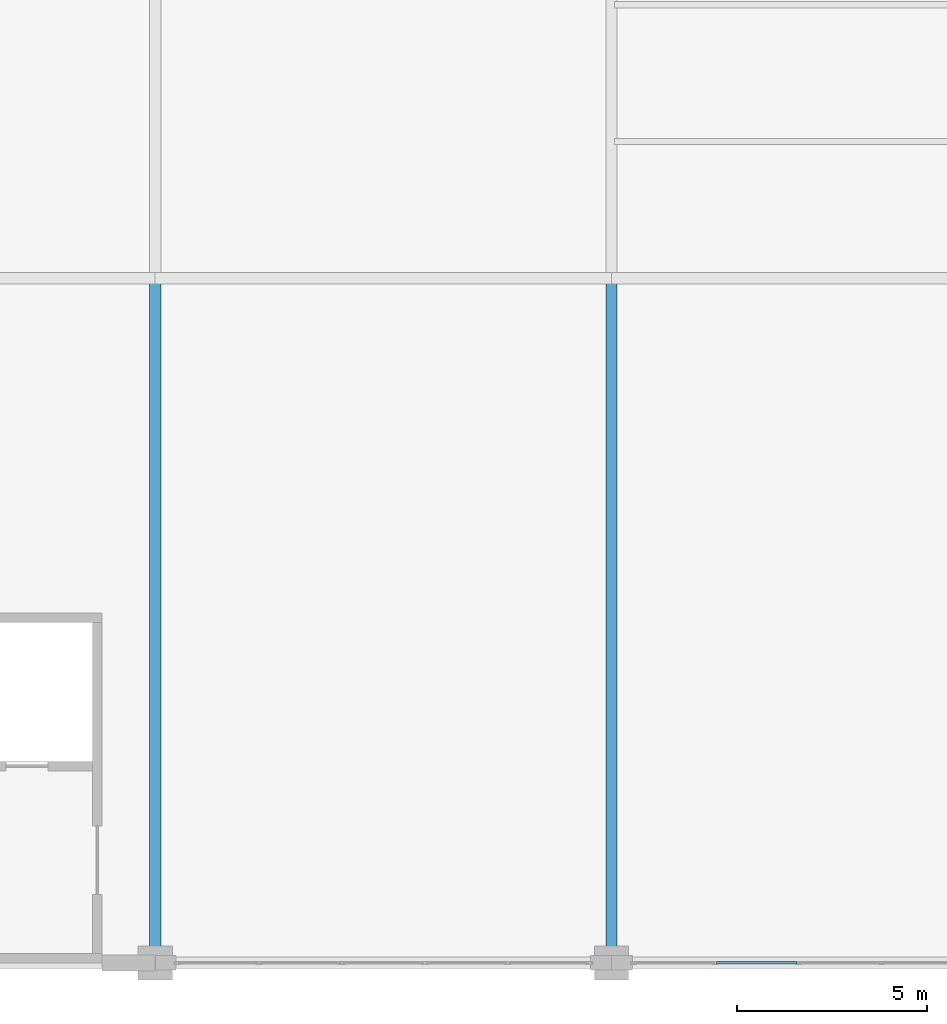
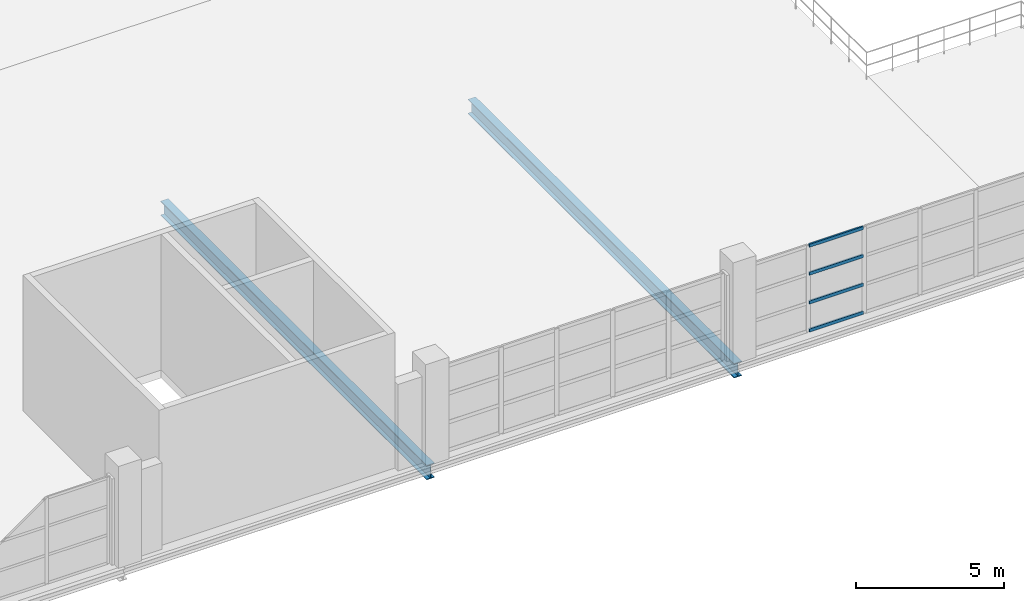
# One storey, part 45 of 158: 4 members, 2 beams, 1 element without a shape of its own.
"""IFC4 building model written with IfcOpenShell, lengths in metres."""

import ifcopenshell
import ifcopenshell.guid

model = None  # the IFC model being written
_history = None  # IfcOwnerHistory: only IFC2X3 demands one
_inside = {}  # id of a spatial element -> (the spatial element, [elements in it])
_under = {}  # id of a project, library or spatial element -> (it, [spatial elements below it])
_declared = {}  # id of a project -> (the project, [libraries it declares])
_typed = {}  # id of a type object -> (the type object, [elements of that type])
_made_of = {}  # id of a material, layer set ... -> (it, [elements and type objects made of it])


def new_model(schema):
    """Start an empty IFC model of exactly this schema.

    Asked for "IFC4X3", IfcOpenShell would pick the latest addendum, in which some entities
    have other attributes; the version numbers below select the first issue.
    IFC2X3 requires an IfcOwnerHistory on every rooted entity: one is made here for all.
    """
    global model, _history
    if schema == "IFC4X3":
        model = ifcopenshell.file(schema_version=(4, 3, 0, 0))
    else:
        model = ifcopenshell.file(schema=schema)
    _inside.clear()
    _under.clear()
    _declared.clear()
    _typed.clear()
    _made_of.clear()
    _history = None
    if model.schema == "IFC2X3":
        org = make("IfcOrganization", Name="unknown")
        user = make(
            "IfcPersonAndOrganization",
            ThePerson=make("IfcPerson", FamilyName="unknown"),
            TheOrganization=org,
        )
        app = make(
            "IfcApplication",
            ApplicationDeveloper=org,
            Version="unknown",
            ApplicationFullName="unknown",
            ApplicationIdentifier="unknown",
        )
        _history = make(
            "IfcOwnerHistory",
            OwningUser=user,
            OwningApplication=app,
            ChangeAction="ADDED",
            CreationDate=0,
        )
    return model


def make(cls, **values):
    """One entity of the class cls with the attributes given. An attribute that is None is left unset."""
    return model.create_entity(
        cls, **{name: value for name, value in values.items() if value is not None}
    )


def rooted(cls, **values):
    """An entity with a GlobalId (a new one), such as an element, a storey or a relation."""
    return make(cls, GlobalId=ifcopenshell.guid.new(), OwnerHistory=_history, **values)


def si_unit(unit_type, name, prefix=None):
    """IfcSIUnit, for example si_unit("LENGTHUNIT", "METRE", prefix="MILLI")."""
    return make("IfcSIUnit", UnitType=unit_type, Prefix=prefix, Name=name)


def assignment(units):
    """IfcUnitAssignment: the units of a project."""
    return None if units is None else make("IfcUnitAssignment", Units=units)


def point(xyz):
    """IfcCartesianPoint."""
    return None if xyz is None else make("IfcCartesianPoint", Coordinates=xyz)


def direction(xyz):
    """IfcDirection."""
    return None if xyz is None else make("IfcDirection", DirectionRatios=xyz)


def frame(location, z_axis=None, x_axis=None):
    """IfcAxis2Placement3D, a coordinate frame: its origin and axes. An axis left out is left unset."""
    return make(
        "IfcAxis2Placement3D",
        Location=point(location),
        Axis=direction(z_axis),
        RefDirection=direction(x_axis),
    )


def frame_2d(location, x_axis=None):
    """IfcAxis2Placement2D, a coordinate frame in the plane: its origin and x axis."""
    return make(
        "IfcAxis2Placement2D", Location=point(location), RefDirection=direction(x_axis)
    )


def origin():
    """The frame at (0, 0, 0) with its axes left unset."""
    return frame((0.0, 0.0, 0.0))


def origin_2d():
    """The frame at (0, 0) in the plane with its x axis left unset."""
    return frame_2d((0.0, 0.0))


def place(relative_to, where):
    """IfcLocalPlacement: puts the frame where relative to a parent placement (None: the world)."""
    return make(
        "IfcLocalPlacement", PlacementRelTo=relative_to, RelativePlacement=where
    )


def context(
    kind, dimensions, precision=None, world=None, true_north=None, identifier=None
):
    """IfcGeometricRepresentationContext, for example the 3D "Model" context."""
    return make(
        "IfcGeometricRepresentationContext",
        ContextIdentifier=identifier,
        ContextType=kind,
        CoordinateSpaceDimension=dimensions,
        Precision=precision,
        WorldCoordinateSystem=world,
        TrueNorth=true_north,
    )


def subcontext(parent, identifier, kind, view, scale=None):
    """IfcGeometricRepresentationSubContext, for example "Body" below "Model"."""
    return make(
        "IfcGeometricRepresentationSubContext",
        ContextIdentifier=identifier,
        ContextType=kind,
        ParentContext=parent,
        TargetScale=scale,
        TargetView=view,
    )


def project(units=None, contexts=None):
    """IfcProject with its units and contexts."""
    return rooted(
        "IfcProject",
        Name="project",
        RepresentationContexts=contexts,
        UnitsInContext=assignment(units),
    )


def spatial(cls, under=None, at=None, **own):
    """A site, building, storey or space (cls), placed at a placement, below another one or the project."""
    s = rooted(cls, ObjectPlacement=at, **own)
    if under is not None:
        _under.setdefault(under.id(), (under, []))[1].append(s)
    return s


def profile(cls, at=None, kind="AREA", **sizes):
    """A parametric profile (cls). Its sizes go by their IFC names, for example OverallWidth=200.0."""
    return make(cls, ProfileType=kind, Position=at, **sizes)


def hollow_rectangle(**sizes):
    """IfcRectangleHollowProfileDef."""
    return profile("IfcRectangleHollowProfileDef", **sizes)


def i_section(**sizes):
    """IfcIShapeProfileDef."""
    return profile("IfcIShapeProfileDef", **sizes)


def extrude(swept, where, along, depth):
    """IfcExtrudedAreaSolid: the profile swept, set in the frame where, extruded along a direction by depth."""
    return make(
        "IfcExtrudedAreaSolid",
        SweptArea=swept,
        Position=where,
        ExtrudedDirection=direction(along),
        Depth=depth,
    )


def shape(context_of_items, identifier, shape_type, items):
    """IfcShapeRepresentation: the items that make up one representation, for example the "Body"."""
    return make(
        "IfcShapeRepresentation",
        ContextOfItems=context_of_items,
        RepresentationIdentifier=identifier,
        RepresentationType=shape_type,
        Items=items,
    )


def material(Name=None, Category=None):
    """IfcMaterial."""
    return make("IfcMaterial", Name=Name, Category=Category)


def layer(
    of_material, thickness, ventilated=None, Name=None, Category=None, Priority=None
):
    """IfcMaterialLayer: one layer of a wall or slab, of a material (None: an air gap)."""
    return make(
        "IfcMaterialLayer",
        Material=of_material,
        LayerThickness=thickness,
        IsVentilated=ventilated,
        Name=Name,
        Category=Category,
        Priority=Priority,
    )


def layer_set(layers, Name=None):
    """IfcMaterialLayerSet."""
    return make("IfcMaterialLayerSet", MaterialLayers=layers, LayerSetName=Name)


def material_profile(
    of_material, cross_section, Name=None, Category=None, Priority=None
):
    """IfcMaterialProfile: a cross section and its material."""
    return make(
        "IfcMaterialProfile",
        Name=Name,
        Material=of_material,
        Profile=cross_section,
        Priority=Priority,
        Category=Category,
    )


def profile_set(profiles, Name=None, composite=None):
    """IfcMaterialProfileSet."""
    return make(
        "IfcMaterialProfileSet",
        Name=Name,
        MaterialProfiles=profiles,
        CompositeProfile=composite,
    )


def made_of(thing, what):
    """Note that an element or type object is made of a material, layer set ...; save() writes the relation."""
    if what is not None:
        _made_of.setdefault(what.id(), (what, []))[1].append(thing)
    return thing


def type_object(cls, material=None, **own):
    """A type object (cls), such as IfcWallType, which elements share."""
    return made_of(rooted(cls, **own), material)


def element(
    cls,
    number,
    at=None,
    inside=None,
    cuts=None,
    type_object=None,
    material=None,
    context=None,
    identifier="Body",
    shape_type=None,
    held_by="IfcProductDefinitionShape",
    body=None,
    shapes=None,
    **own,
):
    """One element of the class cls, such as IfcWall. Its Tag is "e" and its number.

    at: its placement. inside: the storey or other place that contains it. cuts: it is an
    opening in that element (IfcRelVoidsElement). A single representation is given by context,
    identifier, shape_type and body (its items); several are given by shapes. held_by: the class
    of the entity that holds the representations. save() writes the other relations.
    """
    e = rooted(cls, Tag="e%d" % number, ObjectPlacement=at, **own)
    if body is not None:
        shapes = [shape(context, identifier, shape_type, body)]
    if shapes is not None:
        e.Representation = make(held_by, Representations=shapes)
    if inside is not None:
        _inside.setdefault(inside.id(), (inside, []))[1].append(e)
    if cuts is not None:
        rooted(
            "IfcRelVoidsElement", RelatingBuildingElement=cuts, RelatedOpeningElement=e
        )
    if type_object is not None:
        _typed.setdefault(type_object.id(), (type_object, []))[1].append(e)
    return made_of(e, material)


def aggregate(whole, parts):
    """IfcRelAggregates: a whole, such as a stair, and the parts it consists of."""
    return rooted("IfcRelAggregates", RelatingObject=whole, RelatedObjects=parts)


def save(model, path):
    """Write the relations noted so far, then the file.

    IfcRelAggregates (storeys below a building ...), IfcRelContainedInSpatialStructure (elements
    in a storey), IfcRelDefinesByType, IfcRelAssociatesMaterial and IfcRelDeclares: one each for
    every whole, place, type object, material and project.
    """
    for whole, parts in _under.values():
        aggregate(whole, parts)
    for where, things in _inside.values():
        rooted(
            "IfcRelContainedInSpatialStructure",
            RelatedElements=things,
            RelatingStructure=where,
        )
    for kind, things in _typed.values():
        rooted("IfcRelDefinesByType", RelatedObjects=things, RelatingType=kind)
    for what, things in _made_of.values():
        rooted("IfcRelAssociatesMaterial", RelatedObjects=things, RelatingMaterial=what)
    for by, libraries in _declared.values():
        rooted("IfcRelDeclares", RelatingContext=by, RelatedDefinitions=libraries)
    model.write(path)


model = new_model("IFC4")

# Units and contexts
model_context = context("Model", 3, precision=1e-05, world=origin(), true_north=direction((0.0, 1.0)))
body_context = subcontext(model_context, "Body", "Model", "MODEL_VIEW")
ifc_project = project(units=[si_unit("LENGTHUNIT", "METRE"), si_unit("AREAUNIT", "SQUARE_METRE"), si_unit("VOLUMEUNIT", "CUBIC_METRE"), si_unit("PLANEANGLEUNIT", "RADIAN"), si_unit("MASSUNIT", "GRAM", prefix="KILO")], contexts=[model_context])

# Site, building, storey
site_placement = place(None, origin())
site = spatial("IfcSite", under=ifc_project, at=site_placement, CompositionType="ELEMENT")
building_placement = place(site_placement, origin())
building = spatial("IfcBuilding", under=site, at=building_placement, Name="Zilviju Railside Exhibition Hall", CompositionType="ELEMENT")
storey_placement = place(building_placement, frame((0.0, 0.0, 4.199951171875)))
storey = spatial("IfcBuildingStorey", under=building, at=storey_placement, Name="L02", CompositionType="ELEMENT", Elevation=4.199951171875)

# Beams
ifc_material_1 = material(Name="Steel S355J2", Category="steel")
ifc_material_profile_1 = material_profile(ifc_material_1, i_section(OverallWidth=0.300048828125, OverallDepth=0.60009765625, WebThickness=0.015380859375, FlangeThickness=0.030029296875, at=origin_2d()), Name="HEB 600")
ifc_profile_set_1 = profile_set([ifc_material_profile_1], Name="Steel S355J2")
beam_type = type_object("IfcBeamType", Name="BM-HEB600", PredefinedType="BEAM", material=ifc_profile_set_1)
for number, where, z_axis, x_axis, name in (
    (1, (96.0, 0.0, -0.6298828125), (0.0, 1.0, 0.0), (-1.0, 0.0, 0.0), "Transverse Girder L02 X=96.0 (0.0..18.0)"),
    (2, (108.0, 0.0, -0.6298828125), (0.0, 1.0, 0.0), (-1.0, 0.0, 0.0), "Transverse Girder L02 X=108.0 (0.0..18.0)"),
):
    element("IfcBeam", number, at=place(storey_placement, frame(where, z_axis=z_axis, x_axis=x_axis)), inside=storey, type_object=beam_type, Name=name, PredefinedType="BEAM", context=body_context, shape_type="SweptSolid", body=[
        extrude(i_section(OverallWidth=0.300048828125, OverallDepth=0.60009765625, WebThickness=0.015380859375, FlangeThickness=0.030029296875, at=origin_2d()), origin(), (0.0, 0.0, 1.0), 18.0),
    ])

# Curtain wall, members
ifc_material_2 = material(Name="Thermally broken aluminium-steel triple-glazed curtain wall", Category="steel")
ifc_layer = layer(ifc_material_2, 0.179931640625)
ifc_layer_set = layer_set([ifc_layer], Name="Thermally broken aluminium-steel triple-glazed curtain wall")
curtain_wall_type = type_object("IfcCurtainWallType", Name="CW-BAY-08", PredefinedType="USERDEFINED", material=ifc_layer_set)
curtain_wall_placement = place(storey_placement, origin())
curtain_wall = element("IfcCurtainWall", 3, at=curtain_wall_placement, inside=storey, type_object=curtain_wall_type, Name="South Hall Facade Curtain Wall L02 (108..120)", ObjectType="GLAZED CURTAIN WALL", PredefinedType="USERDEFINED")
ifc_material_3 = material(Name="Thermally broken anodized aluminium transom", Category="aluminium")
ifc_material_profile_2 = material_profile(ifc_material_3, hollow_rectangle(XDim=0.06494140625, YDim=0.1298828125, WallThickness=0.0048828125, at=origin_2d()), Name="TRANSOM 130x65x5")
ifc_profile_set_2 = profile_set([ifc_material_profile_2], Name="Thermally broken anodized aluminium transom")
member_type = type_object("IfcMemberType", Name="CWT-65x130", PredefinedType="USERDEFINED", material=ifc_profile_set_2)
member_1_placement = place(storey_placement, frame((112.87744140625, 0.0, 0.032470703125), z_axis=(-1.0, 0.0, 0.0), x_axis=(0.0, -1.0, 0.0)))
member_1 = element("IfcMember", 4, at=member_1_placement, type_object=member_type, Name="CW-08 transom 4.1", ObjectType="TRANSOM", PredefinedType="USERDEFINED", context=body_context, shape_type="SweptSolid", body=[
    extrude(hollow_rectangle(XDim=0.06494140625, YDim=0.1298828125, WallThickness=0.0048828125, at=origin_2d()), origin(), (0.0, 0.0, 1.0), 2.114990234375),
])
member_2_placement = place(storey_placement, frame((112.87744140625, 0.0, 1.18701171875), z_axis=(-1.0, 0.0, 0.0), x_axis=(0.0, -1.0, 0.0)))
member_2 = element("IfcMember", 5, at=member_2_placement, type_object=member_type, Name="CW-08 transom 4.2", ObjectType="TRANSOM", PredefinedType="USERDEFINED", context=body_context, shape_type="SweptSolid", body=[
    extrude(hollow_rectangle(XDim=0.06494140625, YDim=0.1298828125, WallThickness=0.0048828125, at=origin_2d()), origin(), (0.0, 0.0, 1.0), 2.114990234375),
])
member_3_placement = place(storey_placement, frame((112.87744140625, 0.0, 2.373046875), z_axis=(-1.0, 0.0, 0.0), x_axis=(0.0, -1.0, 0.0)))
member_3 = element("IfcMember", 6, at=member_3_placement, type_object=member_type, Name="CW-08 transom 4.3", ObjectType="TRANSOM", PredefinedType="USERDEFINED", context=body_context, shape_type="SweptSolid", body=[
    extrude(hollow_rectangle(XDim=0.06494140625, YDim=0.1298828125, WallThickness=0.0048828125, at=origin_2d()), origin(), (0.0, 0.0, 1.0), 2.114990234375),
])
member_4_placement = place(storey_placement, frame((112.87744140625, 0.0, 3.527587890625), z_axis=(-1.0, 0.0, 0.0), x_axis=(0.0, -1.0, 0.0)))
member_4 = element("IfcMember", 7, at=member_4_placement, type_object=member_type, Name="CW-08 transom 4.4", ObjectType="TRANSOM", PredefinedType="USERDEFINED", context=body_context, shape_type="SweptSolid", body=[
    extrude(hollow_rectangle(XDim=0.06494140625, YDim=0.1298828125, WallThickness=0.0048828125, at=origin_2d()), origin(), (0.0, 0.0, 1.0), 2.114990234375),
])
aggregate(curtain_wall, [member_1, member_2, member_3, member_4])

save(model, "model.ifc")
